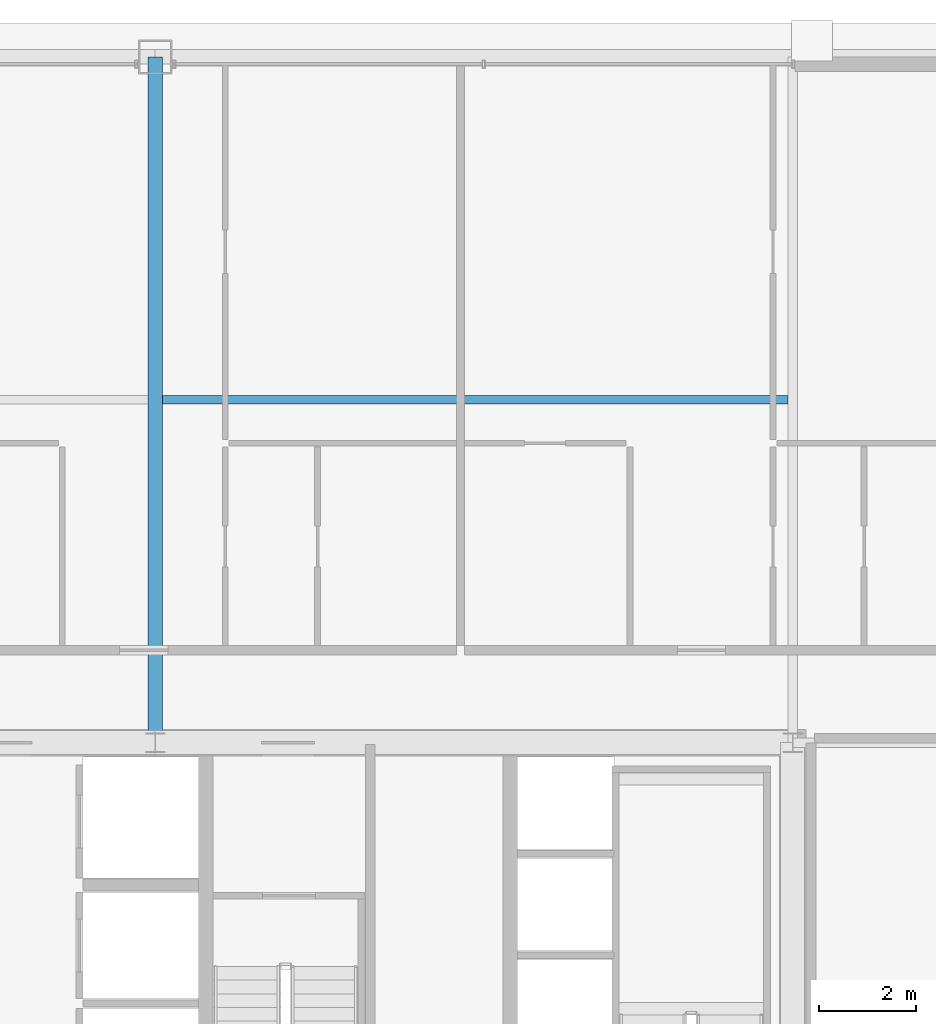
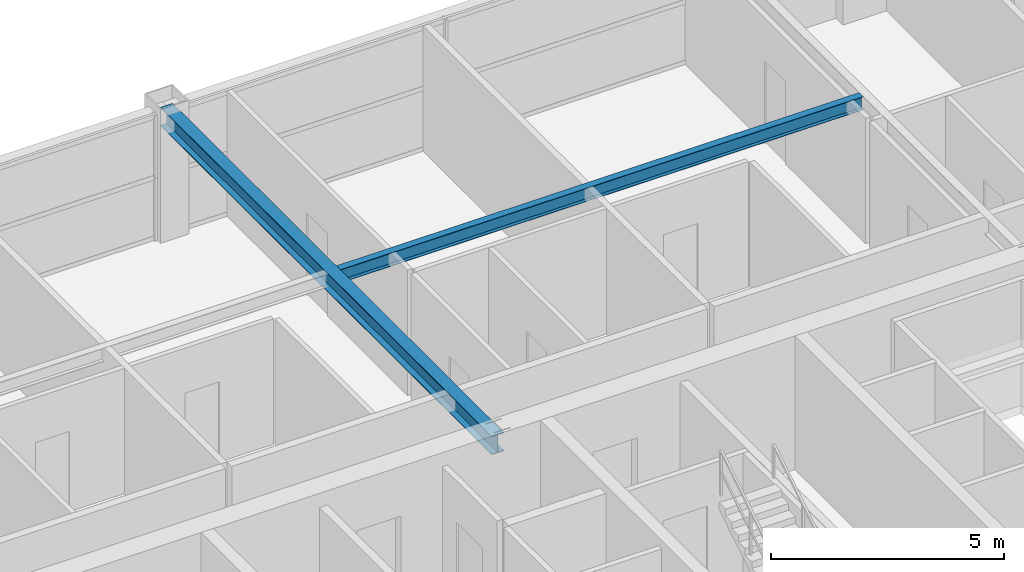
# One storey, part 27 of 37: 2 beams.
"""IFC4 building model written with IfcOpenShell, lengths in metres."""

from ifc_helpers import new_model, si_unit, direction, frame, origin, origin_2d, place, context, subcontext, project, spatial, i_section, extrude, source, transform, mapped, material, material_profile, profile_set, type_object, element, save


model = new_model("IFC4")

# Units and contexts
model_context = context("Model", 3, precision=1e-05, world=origin(), true_north=direction((0.0, 1.0)))
body_context = subcontext(model_context, "Body", "Model", "MODEL_VIEW")
ifc_project = project(units=[si_unit("LENGTHUNIT", "METRE"), si_unit("AREAUNIT", "SQUARE_METRE"), si_unit("VOLUMEUNIT", "CUBIC_METRE"), si_unit("PLANEANGLEUNIT", "RADIAN"), si_unit("MASSUNIT", "GRAM", prefix="KILO"), si_unit("THERMODYNAMICTEMPERATUREUNIT", "KELVIN"), si_unit("POWERUNIT", "WATT")], contexts=[model_context])

# Site, building, storey
site_placement = place(None, origin())
site = spatial("IfcSite", under=ifc_project, at=site_placement, CompositionType="ELEMENT")
building_placement = place(site_placement, origin())
building = spatial("IfcBuilding", under=site, at=building_placement, Name="Yuzanri Waterfront Tower", CompositionType="ELEMENT")
storey_placement = place(building_placement, frame((0.0, 0.0, 252.10009765625)))
storey = spatial("IfcBuildingStorey", under=building, at=storey_placement, Name="L67", CompositionType="ELEMENT", Elevation=252.10009765625)

# Beams
ifc_material_1 = material(Name="Steel Q355B", Category="steel")
ifc_material_profile_1 = material_profile(ifc_material_1, i_section(OverallWidth=0.300048828125, OverallDepth=0.488037109375, WebThickness=0.010986328125, FlangeThickness=0.01806640625, at=origin_2d()), Name="HM 488x300x11x18")
ifc_profile_set_1 = profile_set([ifc_material_profile_1], Name="Steel Q355B")
beam_type_1 = type_object("IfcBeamType", Name="Primary Floor Girder Q355B HM 488x300", PredefinedType="BEAM", material=ifc_profile_set_1)
shared_shape_1 = source(origin(), body_context, "Body", "SweptSolid", [
    extrude(i_section(OverallWidth=0.300048828125, OverallDepth=0.488037109375, WebThickness=0.010986328125, FlangeThickness=0.01806640625, at=origin_2d()), origin(), (0.0, 0.0, 1.0), 14.199951171875),
])
beam_1_placement = place(storey_placement, frame((37.0, 32.199951171875, 3.035888671875), z_axis=(0.0, 1.0, 0.0), x_axis=(-1.0, 0.0, 0.0)))
element("IfcBeam", 1, at=beam_1_placement, inside=storey, type_object=beam_type_1, Name="L67 North Grid Girder", PredefinedType="BEAM", context=body_context, shape_type="MappedRepresentation", body=[
    mapped(shared_shape_1, transform((0.0, 0.0, 0.0), scale=1.0)),
])
ifc_material_2 = material(Name="Steel Q355B", Category="steel")
ifc_material_profile_2 = material_profile(ifc_material_2, i_section(OverallWidth=0.175048828125, OverallDepth=0.35009765625, WebThickness=0.007080078125, FlangeThickness=0.010986328125, at=origin_2d()), Name="HN 350x175x7x11")
ifc_profile_set_2 = profile_set([ifc_material_profile_2], Name="Steel Q355B")
beam_type_2 = type_object("IfcBeamType", Name="Floor Joist Q355B HN 350x175", PredefinedType="JOIST", material=ifc_profile_set_2)
shared_shape_2 = source(origin(), body_context, "Body", "SweptSolid", [
    extrude(i_section(OverallWidth=0.175048828125, OverallDepth=0.35009765625, WebThickness=0.007080078125, FlangeThickness=0.010986328125, at=origin_2d()), origin(), (0.0, 0.0, 1.0), 12.9501953125),
])
beam_2_placement = place(storey_placement, frame((37.14990234375, 39.300048828125, 3.10498046875), z_axis=(1.0, 0.0, 0.0), x_axis=(0.0, 1.0, 0.0)))
element("IfcBeam", 2, at=beam_2_placement, inside=storey, type_object=beam_type_2, Name="L67 North Bay Joist E", PredefinedType="JOIST", context=body_context, shape_type="MappedRepresentation", body=[
    mapped(shared_shape_2, transform((0.0, 0.0, 0.0), scale=1.0)),
])

save(model, "model.ifc")
